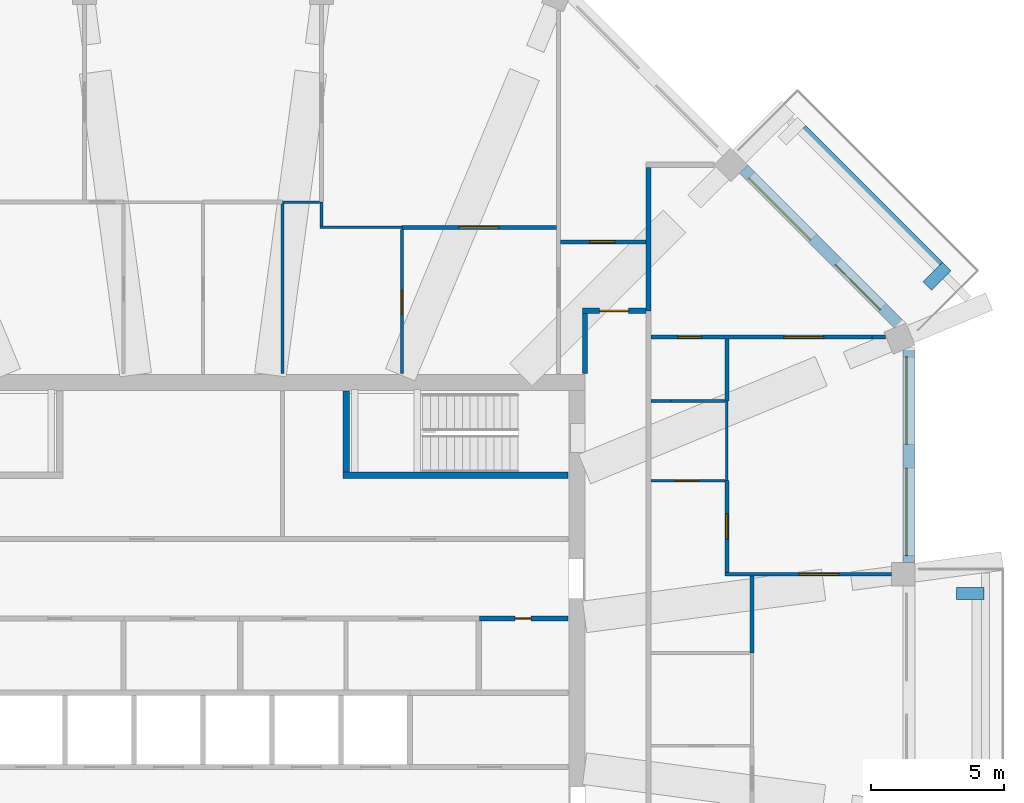
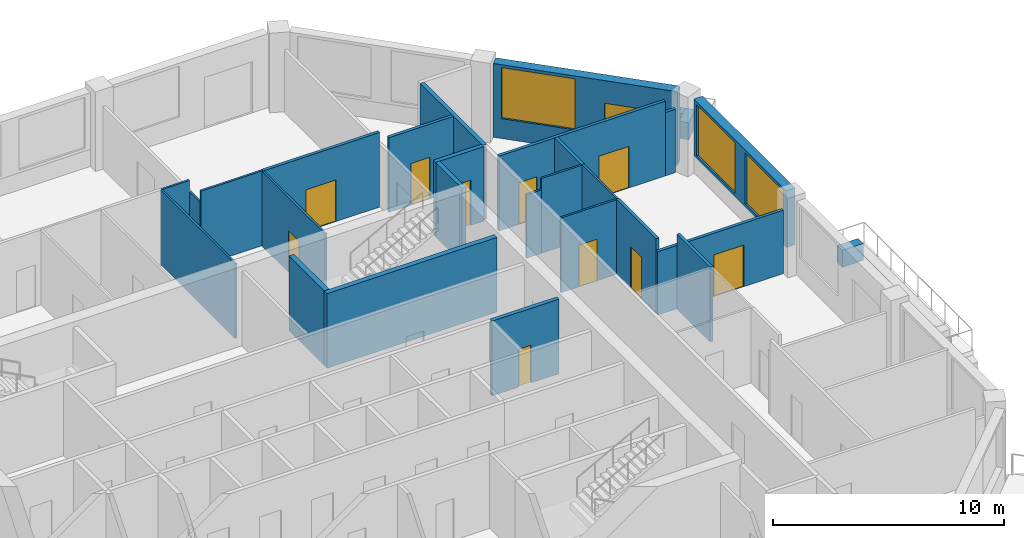
# One storey, part 9 of 12: 28 walls, 11 doors, 3 windows, 14 openings.
"""IFC4 building model written with IfcOpenShell, lengths in metres."""

from ifc_helpers import new_model, si_unit, direction, frame, frame_2d, origin, place, context, subcontext, project, spatial, rectangle, extrude, material, layer, layer_set, type_object, element, fill, save


model = new_model("IFC4")

# Units and contexts
model_context = context("Model", 3, precision=1e-05, world=origin(), true_north=direction((0.0, 1.0)))
body_context = subcontext(model_context, "Body", "Model", "MODEL_VIEW")
ifc_project = project(units=[si_unit("LENGTHUNIT", "METRE"), si_unit("AREAUNIT", "SQUARE_METRE"), si_unit("VOLUMEUNIT", "CUBIC_METRE"), si_unit("PLANEANGLEUNIT", "RADIAN"), si_unit("MASSUNIT", "GRAM", prefix="KILO")], contexts=[model_context])

# Site, building, storey
site_placement = place(None, origin())
site = spatial("IfcSite", under=ifc_project, at=site_placement, CompositionType="ELEMENT")
building_placement = place(site_placement, origin())
building = spatial("IfcBuilding", under=site, at=building_placement, Name="Msitu Wima Residences", CompositionType="ELEMENT")
storey_placement = place(building_placement, frame((0.0, 0.0, 213.89990234375)))
storey = spatial("IfcBuildingStorey", under=building, at=storey_placement, Name="L49", CompositionType="ELEMENT", Elevation=213.89990234375)

# Walls
ifc_material_1 = material(Name="Facing brick")
ifc_layer_1 = layer(ifc_material_1, 0.06494140625, Name="Facing brick")
ifc_material_2 = material(Name="Concrete C40/50", Category="concrete")
ifc_layer_2 = layer(ifc_material_2, 0.156005859375, Name="Concrete C40/50")
ifc_material_3 = material(Name="Waterproofing membrane")
ifc_layer_3 = layer(ifc_material_3, 0.00390625, Name="Waterproofing membrane")
ifc_material_4 = material(Name="Planting soil and planting")
ifc_layer_4 = layer(ifc_material_4, 0.22509765625, Name="Planting soil and planting")
ifc_layer_set_1 = layer_set([ifc_layer_1, ifc_layer_2, ifc_layer_3, ifc_layer_4], Name="Concrete C40/50")
wall_type_1 = type_object("IfcWallType", Name="Balcony planter PLANTER PL450", PredefinedType="USERDEFINED", material=ifc_layer_set_1)
wall_1_placement = place(storey_placement, frame((28.39990234375, 3.74365234375, 0.0), z_axis=(0.0, 0.0, 1.0), x_axis=(1.0, 0.0, 0.0)))
element("IfcWall", 1, at=wall_1_placement, inside=storey, type_object=wall_type_1, Name="Balcony planter E1 L49", ObjectType="PLANTER", PredefinedType="USERDEFINED", context=body_context, shape_type="SweptSolid", body=[
    extrude(rectangle(XDim=1.050048828125, YDim=0.449951171875, at=frame_2d((0.52490234375, 0.0))), origin(), (0.0, 0.0, 1.0), 0.900146484375),
])
wall_2_placement = place(storey_placement, frame((27.725830078125, 16.0751953125, 0.0), z_axis=(0.0, 0.0, 1.0), x_axis=(-0.707106781187, 0.707106781187, 0.0)))
element("IfcWall", 2, at=wall_2_placement, inside=storey, type_object=wall_type_1, Name="Balcony planter NE0 L49", ObjectType="PLANTER", PredefinedType="USERDEFINED", context=body_context, shape_type="SweptSolid", body=[
    extrude(rectangle(XDim=7.288330078125, YDim=0.449951171875, at=frame_2d((3.64404296875, 0.0))), origin(), (0.0, 0.0, 1.0), 0.900146484375),
])
wall_3_placement = place(storey_placement, frame((27.301513671875, 15.332763671875, 0.0), z_axis=(0.0, 0.0, 1.0), x_axis=(0.707106781187, 0.707106781187, 0.0)))
element("IfcWall", 3, at=wall_3_placement, inside=storey, type_object=wall_type_1, Name="Balcony planter NE0 L49", ObjectType="PLANTER", PredefinedType="USERDEFINED", context=body_context, shape_type="SweptSolid", body=[
    extrude(rectangle(XDim=1.050048828125, YDim=0.449951171875, at=frame_2d((0.52490234375, 0.0))), origin(), (0.0, 0.0, 1.0), 0.900146484375),
])

# Wall, openings, windows
ifc_material_5 = material(Name="Brick (red buff mix)", Category="masonry")
ifc_layer_5 = layer(ifc_material_5, 0.449951171875)
ifc_layer_set_2 = layer_set([ifc_layer_5], Name="Brick (red buff mix)")
wall_type_2 = type_object("IfcWallType", Name="Brick infill wall BW450", PredefinedType="SOLIDWALL", material=ifc_layer_set_2)
wall_4_placement = place(storey_placement, frame((26.625, 4.918701171875, 0.900146484375), z_axis=(0.0, 0.0, 1.0), x_axis=(0.0, 1.0, 0.0)))
wall_4 = element("IfcWall", 4, at=wall_4_placement, inside=storey, type_object=wall_type_2, Name="Brick infill wall L49 E2", PredefinedType="SOLIDWALL", context=body_context, shape_type="SweptSolid", body=[
    extrude(rectangle(XDim=8.0, YDim=0.449951171875, at=frame_2d((4.0, 0.0))), origin(), (0.0, 0.0, 1.0), 3.0),
])
opening_1_placement = place(wall_4_placement, frame((0.25, 0.0, 0.14990234375)))
opening_1 = element("IfcOpeningElement", 5, at=opening_1_placement, cuts=wall_4, Name="Opening W49.004", PredefinedType="OPENING", context=body_context, shape_type="SweptSolid", body=[
    extrude(rectangle(XDim=3.300048828125, YDim=2.699951171875, at=frame_2d((1.64990234375, 1.35009765625))), frame((0.0, 0.23486328125, 0.0), z_axis=(0.0, -1.0, 0.0), x_axis=(1.0, 0.0, 0.0)), (0.0, 0.0, 1.0), 0.469970703125),
])
opening_2_placement = place(wall_4_placement, frame((4.4501953125, 0.0, 0.14990234375)))
opening_2 = element("IfcOpeningElement", 6, at=opening_2_placement, cuts=wall_4, Name="Opening W49.005", PredefinedType="OPENING", context=body_context, shape_type="SweptSolid", body=[
    extrude(rectangle(XDim=3.300048828125, YDim=2.699951171875, at=frame_2d((1.64990234375, 1.35009765625))), frame((0.0, 0.23486328125, 0.0), z_axis=(0.0, -1.0, 0.0), x_axis=(1.0, 0.0, 0.0)), (0.0, 0.0, 1.0), 0.469970703125),
])
ifc_material_6 = material(Name="Anodised aluminium, bronze finish, clear low-emissivity double glazing", Category="aluminium")
window_type = type_object("IfcWindowType", Name="Window W3300x2700", PartitioningType="DOUBLE_PANEL_VERTICAL", PredefinedType="WINDOW", material=ifc_material_6)
window_1_placement = place(opening_1_placement, origin())
window_1 = element("IfcWindow", 7, at=window_1_placement, inside=storey, type_object=window_type, Name="Window L49 E2.1", OverallHeight=2.699951171875, OverallWidth=3.300048828125, PartitioningType="SINGLE_PANEL", PredefinedType="WINDOW", context=body_context, shape_type="SweptSolid", body=[
    extrude(rectangle(XDim=3.300048828125, YDim=2.699951171875, at=frame_2d((1.64990234375, 1.35009765625))), frame((0.0, 0.135009765625, 0.0), z_axis=(0.0, -1.0, 0.0), x_axis=(1.0, 0.0, 0.0)), (0.0, 0.0, 1.0), 0.06005859375),
])
fill(opening_1, window_1)
window_2_placement = place(opening_2_placement, origin())
window_2 = element("IfcWindow", 8, at=window_2_placement, inside=storey, type_object=window_type, Name="Window L49 E2.2", OverallHeight=2.699951171875, OverallWidth=3.300048828125, PartitioningType="SINGLE_PANEL", PredefinedType="WINDOW", context=body_context, shape_type="SweptSolid", body=[
    extrude(rectangle(XDim=3.300048828125, YDim=2.699951171875, at=frame_2d((1.64990234375, 1.35009765625))), frame((0.0, 0.135009765625, 0.0), z_axis=(0.0, -1.0, 0.0), x_axis=(1.0, 0.0, 0.0)), (0.0, 0.0, 1.0), 0.06005859375),
])
fill(opening_2, window_2)

# Wall, openings, door, window
wall_5_placement = place(storey_placement, frame((26.214599609375, 13.909423828125, 0.0), z_axis=(0.0, 0.0, 1.0), x_axis=(-0.707106781187, 0.707106781187, 0.0)))
wall_5 = element("IfcWall", 9, at=wall_5_placement, inside=storey, type_object=wall_type_2, Name="Brick infill wall L49 NE0", PredefinedType="SOLIDWALL", context=body_context, shape_type="SweptSolid", body=[
    extrude(rectangle(XDim=8.251220703125, YDim=0.449951171875, at=frame_2d((4.12548828125, 0.0))), origin(), (0.0, 0.0, 1.0), 3.900146484375),
])
opening_3_placement = place(wall_5_placement, frame((0.86279296875, 0.0, 0.0)))
opening_3 = element("IfcOpeningElement", 10, at=opening_3_placement, cuts=wall_5, Name="Opening D49.004", PredefinedType="OPENING", context=body_context, shape_type="SweptSolid", body=[
    extrude(rectangle(XDim=2.39990234375, YDim=2.699951171875, at=frame_2d((1.199951171875, 1.35009765625))), frame((0.0, 0.23486328125, 0.0), z_axis=(0.0, -1.0, 0.0), x_axis=(1.0, 0.0, 0.0)), (0.0, 0.0, 1.0), 0.469970703125),
])
opening_4_placement = place(wall_5_placement, frame((4.57568359375, 0.0, 1.050048828125)))
opening_4 = element("IfcOpeningElement", 11, at=opening_4_placement, cuts=wall_5, Name="Opening W49.010", PredefinedType="OPENING", context=body_context, shape_type="SweptSolid", body=[
    extrude(rectangle(XDim=3.300048828125, YDim=2.699951171875, at=frame_2d((1.64990234375, 1.35009765625))), frame((0.0, 0.23486328125, 0.0), z_axis=(0.0, -1.0, 0.0), x_axis=(1.0, 0.0, 0.0)), (0.0, 0.0, 1.0), 0.469970703125),
])
door_type_1 = type_object("IfcDoorType", Name="Balcony door D2400x2700", OperationType="SLIDING_TO_LEFT", PredefinedType="DOOR", material=ifc_material_6)
door_1_placement = place(opening_3_placement, origin())
door_1 = element("IfcDoor", 12, at=door_1_placement, inside=storey, type_object=door_type_1, Name="Balcony door L49 NE0", OperationType="SINGLE_SWING_LEFT", OverallHeight=2.699951171875, OverallWidth=2.39990234375, PredefinedType="DOOR", context=body_context, shape_type="SweptSolid", body=[
    extrude(rectangle(XDim=2.39990234375, YDim=2.699951171875, at=frame_2d((1.199951171875, 1.35009765625))), frame((0.0, 0.1298828125, 0.0), z_axis=(0.0, -1.0, 0.0), x_axis=(1.0, 0.0, 0.0)), (0.0, 0.0, 1.0), 0.050048828125),
])
fill(opening_3, door_1)
window_3_placement = place(opening_4_placement, origin())
window_3 = element("IfcWindow", 13, at=window_3_placement, inside=storey, type_object=window_type, Name="Window L49 NE0.2", OverallHeight=2.699951171875, OverallWidth=3.300048828125, PartitioningType="SINGLE_PANEL", PredefinedType="WINDOW", context=body_context, shape_type="SweptSolid", body=[
    extrude(rectangle(XDim=3.300048828125, YDim=2.699951171875, at=frame_2d((1.64990234375, 1.35009765625))), frame((0.0, 0.135009765625, 0.0), z_axis=(0.0, -1.0, 0.0), x_axis=(1.0, 0.0, 0.0)), (0.0, 0.0, 1.0), 0.06005859375),
])
fill(opening_4, window_3)

# Wall
ifc_material_7 = material(Name="Plaster")
ifc_layer_6 = layer(ifc_material_7, 0.011962890625, Name="Plaster")
ifc_material_8 = material(Name="Concrete blockwork", Category="masonry")
ifc_layer_7 = layer(ifc_material_8, 0.176025390625, Name="Concrete blockwork")
ifc_layer_8 = layer(ifc_material_7, 0.011962890625, Name="Plaster")
ifc_layer_set_3 = layer_set([ifc_layer_6, ifc_layer_7, ifc_layer_8], Name="Concrete blockwork")
wall_type_3 = type_object("IfcWallType", Name="Corridor wall FW200", PredefinedType="PARTITIONING", material=ifc_layer_set_3)
wall_6_placement = place(storey_placement, frame((14.39990234375, 12.030029296875, 0.0), z_axis=(0.0, 0.0, 1.0), x_axis=(0.0, 1.0, 0.0)))
element("IfcWall", 14, at=wall_6_placement, inside=storey, type_object=wall_type_3, Name="Corridor wall", PredefinedType="PARTITIONING", context=body_context, shape_type="SweptSolid", body=[
    extrude(rectangle(XDim=2.27001953125, YDim=0.199951171875, at=frame_2d((1.135009765625, 0.0))), origin(), (0.0, 0.0, 1.0), 3.9501953125),
])

# Wall, opening, door
wall_7_placement = place(storey_placement, frame((14.300048828125, 14.39990234375, 0.0), z_axis=(0.0, 0.0, 1.0), x_axis=(1.0, 0.0, 0.0)))
wall_7 = element("IfcWall", 15, at=wall_7_placement, inside=storey, type_object=wall_type_3, Name="Corridor wall", PredefinedType="PARTITIONING", context=body_context, shape_type="SweptSolid", body=[
    extrude(rectangle(XDim=2.39990234375, YDim=0.199951171875, at=frame_2d((1.199951171875, 0.0))), origin(), (0.0, 0.0, 1.0), 3.9501953125),
])
opening_5_placement = place(wall_7_placement, frame((0.64990234375, 0.0, 0.0)))
opening_5 = element("IfcOpeningElement", 16, at=opening_5_placement, cuts=wall_7, Name="Opening D49.022", PredefinedType="OPENING", context=body_context, shape_type="SweptSolid", body=[
    extrude(rectangle(XDim=1.10009765625, YDim=2.39990234375, at=frame_2d((0.550048828125, 1.199951171875))), frame((0.0, 0.10986328125, 0.0), z_axis=(0.0, -1.0, 0.0), x_axis=(1.0, 0.0, 0.0)), (0.0, 0.0, 1.0), 0.219970703125),
])
ifc_material_9 = material(Name="Timber flush door, fire resisting, self-closing", Category="wood")
door_type_2 = type_object("IfcDoorType", Name="Flat entrance door D01 1100x2400", OperationType="SINGLE_SWING_LEFT", PredefinedType="DOOR", material=ifc_material_9)
door_2_placement = place(opening_5_placement, origin())
door_2 = element("IfcDoor", 17, at=door_2_placement, inside=storey, type_object=door_type_2, Name="Flat entrance door", OperationType="SINGLE_SWING_RIGHT", OverallHeight=2.39990234375, OverallWidth=1.10009765625, PredefinedType="DOOR", context=body_context, shape_type="SweptSolid", body=[
    extrude(rectangle(XDim=1.10009765625, YDim=2.39990234375, at=frame_2d((0.550048828125, 1.199951171875))), frame((0.0, 0.02490234375, 0.0), z_axis=(0.0, -1.0, 0.0), x_axis=(1.0, 0.0, 0.0)), (0.0, 0.0, 1.0), 0.050048828125),
])
fill(opening_5, door_2)

ifc_layer_9 = layer(ifc_material_7, 0.011962890625, Name="Plaster")
ifc_layer_10 = layer(ifc_material_8, 0.1259765625, Name="Concrete blockwork")
ifc_layer_11 = layer(ifc_material_7, 0.011962890625, Name="Plaster")
ifc_layer_set_4 = layer_set([ifc_layer_9, ifc_layer_10, ifc_layer_11], Name="Concrete blockwork")
wall_type_4 = type_object("IfcWallType", Name="Partition PW150", PredefinedType="PARTITIONING", material=ifc_layer_set_4)
wall_8_placement = place(storey_placement, frame((7.5, 17.550048828125, 0.0), z_axis=(0.0, 0.0, 1.0), x_axis=(1.0, 0.0, 0.0)))
wall_8 = element("IfcWall", 18, at=wall_8_placement, inside=storey, type_object=wall_type_4, Name="Partition", PredefinedType="PARTITIONING", context=body_context, shape_type="SweptSolid", body=[
    extrude(rectangle(XDim=5.830810546875, YDim=0.14990234375, at=frame_2d((2.91552734375, 0.0))), origin(), (0.0, 0.0, 1.0), 3.9501953125),
])
opening_6_placement = place(wall_8_placement, frame((2.14990234375, 0.0, 0.0)))
opening_6 = element("IfcOpeningElement", 19, at=opening_6_placement, cuts=wall_8, Name="Opening D49.027", PredefinedType="OPENING", context=body_context, shape_type="SweptSolid", body=[
    extrude(rectangle(XDim=1.5, YDim=2.199951171875, at=frame_2d((0.75, 1.10009765625))), frame((0.0, 0.0849609375, 0.0), z_axis=(0.0, -1.0, 0.0), x_axis=(1.0, 0.0, 0.0)), (0.0, 0.0, 1.0), 0.169921875),
])
ifc_material_10 = material(Name="Timber double door", Category="wood")
door_type_3 = type_object("IfcDoorType", Name="Double door D04 1500x2200", OperationType="DOUBLE_DOOR_SINGLE_SWING", PredefinedType="DOOR", material=ifc_material_10)
door_3_placement = place(opening_6_placement, origin())
door_3 = element("IfcDoor", 20, at=door_3_placement, inside=storey, type_object=door_type_3, Name="Double door", OperationType="DOUBLE_DOOR_SINGLE_SWING", OverallHeight=2.199951171875, OverallWidth=1.5, PredefinedType="DOOR", context=body_context, shape_type="SweptSolid", body=[
    extrude(rectangle(XDim=1.5, YDim=2.199951171875, at=frame_2d((0.75, 1.10009765625))), frame((0.0, 0.02490234375, 0.0), z_axis=(0.0, -1.0, 0.0), x_axis=(1.0, 0.0, 0.0)), (0.0, 0.0, 1.0), 0.050048828125),
])
fill(opening_6, door_3)

wall_9_placement = place(storey_placement, frame((13.48095703125, 17.0, 0.0), z_axis=(0.0, 0.0, 1.0), x_axis=(1.0, 0.0, 0.0)))
wall_9 = element("IfcWall", 21, at=wall_9_placement, inside=storey, type_object=wall_type_4, Name="Partition", PredefinedType="PARTITIONING", context=body_context, shape_type="SweptSolid", body=[
    extrude(rectangle(XDim=3.218994140625, YDim=0.14990234375, at=frame_2d((1.609375, 0.0))), origin(), (0.0, 0.0, 1.0), 3.9501953125),
])
opening_7_placement = place(wall_9_placement, frame((1.10009765625, 0.0, 0.0)))
opening_7 = element("IfcOpeningElement", 22, at=opening_7_placement, cuts=wall_9, Name="Opening D49.028", PredefinedType="OPENING", context=body_context, shape_type="SweptSolid", body=[
    extrude(rectangle(XDim=0.949951171875, YDim=2.199951171875, at=frame_2d((0.47509765625, 1.10009765625))), frame((0.0, 0.0849609375, 0.0), z_axis=(0.0, -1.0, 0.0), x_axis=(1.0, 0.0, 0.0)), (0.0, 0.0, 1.0), 0.169921875),
])
ifc_material_11 = material(Name="Timber flush door", Category="wood")
door_type_4 = type_object("IfcDoorType", Name="Room door D12 950x2200", OperationType="SINGLE_SWING_LEFT", PredefinedType="DOOR", material=ifc_material_11)
door_4_placement = place(opening_7_placement, origin())
door_4 = element("IfcDoor", 23, at=door_4_placement, inside=storey, type_object=door_type_4, Name="Room door", OperationType="SINGLE_SWING_LEFT", OverallHeight=2.199951171875, OverallWidth=0.949951171875, PredefinedType="DOOR", context=body_context, shape_type="SweptSolid", body=[
    extrude(rectangle(XDim=0.949951171875, YDim=2.199951171875, at=frame_2d((0.47509765625, 1.10009765625))), frame((0.0, 0.02490234375, 0.0), z_axis=(0.0, -1.0, 0.0), x_axis=(1.0, 0.0, 0.0)), (0.0, 0.0, 1.0), 0.050048828125),
])
fill(opening_7, door_4)

# Wall, openings, doors
wall_10_placement = place(storey_placement, frame((16.89990234375, 13.406005859375, 0.0), z_axis=(0.0, 0.0, 1.0), x_axis=(1.0, 0.0, 0.0)))
wall_10 = element("IfcWall", 24, at=wall_10_placement, inside=storey, type_object=wall_type_4, Name="Partition", PredefinedType="PARTITIONING", context=body_context, shape_type="SweptSolid", body=[
    extrude(rectangle(XDim=8.32421875, YDim=0.14990234375, at=frame_2d((4.162109375, 0.0))), origin(), (0.0, 0.0, 1.0), 3.9501953125),
])
opening_8_placement = place(wall_10_placement, frame((5.0, 0.0, 0.0)))
opening_8 = element("IfcOpeningElement", 25, at=opening_8_placement, cuts=wall_10, Name="Opening D49.019", PredefinedType="OPENING", context=body_context, shape_type="SweptSolid", body=[
    extrude(rectangle(XDim=1.5, YDim=2.199951171875, at=frame_2d((0.75, 1.10009765625))), frame((0.0, 0.0849609375, 0.0), z_axis=(0.0, -1.0, 0.0), x_axis=(1.0, 0.0, 0.0)), (0.0, 0.0, 1.0), 0.169921875),
])
opening_9_placement = place(wall_10_placement, frame((1.0, 0.0, 0.0)))
opening_9 = element("IfcOpeningElement", 26, at=opening_9_placement, cuts=wall_10, Name="Opening D49.013", PredefinedType="OPENING", context=body_context, shape_type="SweptSolid", body=[
    extrude(rectangle(XDim=0.89990234375, YDim=2.199951171875, at=frame_2d((0.449951171875, 1.10009765625))), frame((0.0, 0.0849609375, 0.0), z_axis=(0.0, -1.0, 0.0), x_axis=(1.0, 0.0, 0.0)), (0.0, 0.0, 1.0), 0.169921875),
])
door_5_placement = place(opening_8_placement, origin())
door_5 = element("IfcDoor", 27, at=door_5_placement, inside=storey, type_object=door_type_3, Name="Double door", OperationType="DOUBLE_DOOR_SINGLE_SWING", OverallHeight=2.199951171875, OverallWidth=1.5, PredefinedType="DOOR", context=body_context, shape_type="SweptSolid", body=[
    extrude(rectangle(XDim=1.5, YDim=2.199951171875, at=frame_2d((0.75, 1.10009765625))), frame((0.0, 0.02490234375, 0.0), z_axis=(0.0, -1.0, 0.0), x_axis=(1.0, 0.0, 0.0)), (0.0, 0.0, 1.0), 0.050048828125),
])
fill(opening_8, door_5)
door_type_5 = type_object("IfcDoorType", Name="Service door D05 900x2200", OperationType="SINGLE_SWING_LEFT", PredefinedType="DOOR", material=ifc_material_11)
door_6_placement = place(opening_9_placement, origin())
door_6 = element("IfcDoor", 28, at=door_6_placement, inside=storey, type_object=door_type_5, Name="Service door", OperationType="SINGLE_SWING_LEFT", OverallHeight=2.199951171875, OverallWidth=0.89990234375, PredefinedType="DOOR", context=body_context, shape_type="SweptSolid", body=[
    extrude(rectangle(XDim=0.89990234375, YDim=2.199951171875, at=frame_2d((0.449951171875, 1.10009765625))), frame((0.0, 0.02490234375, 0.0), z_axis=(0.0, -1.0, 0.0), x_axis=(1.0, 0.0, 0.0)), (0.0, 0.0, 1.0), 0.050048828125),
])
fill(opening_9, door_6)

# Wall
wall_11_placement = place(storey_placement, frame((25.22412109375, 13.406005859375, 0.0), z_axis=(0.0, 0.0, 1.0), x_axis=(1.0, 0.0, 0.0)))
element("IfcWall", 29, at=wall_11_placement, inside=storey, type_object=wall_type_4, Name="Partition", PredefinedType="PARTITIONING", context=body_context, shape_type="SweptSolid", body=[
    extrude(rectangle(XDim=0.507080078125, YDim=0.14990234375, at=frame_2d((0.25341796875, 0.0))), origin(), (0.0, 0.0, 1.0), 3.35009765625),
])

# Wall, opening, door
wall_12_placement = place(storey_placement, frame((19.75, 4.543701171875, 0.0), z_axis=(0.0, 0.0, 1.0), x_axis=(0.0, 1.0, 0.0)))
wall_12 = element("IfcWall", 30, at=wall_12_placement, inside=storey, type_object=wall_type_4, Name="Partition", PredefinedType="PARTITIONING", context=body_context, shape_type="SweptSolid", body=[
    extrude(rectangle(XDim=3.456298828125, YDim=0.14990234375, at=frame_2d((1.72802734375, 0.0))), origin(), (0.0, 0.0, 1.0), 3.9501953125),
])
opening_10_placement = place(wall_12_placement, frame((1.25, 0.0, 0.0)))
opening_10 = element("IfcOpeningElement", 31, at=opening_10_placement, cuts=wall_12, Name="Opening D49.020", PredefinedType="OPENING", context=body_context, shape_type="SweptSolid", body=[
    extrude(rectangle(XDim=0.949951171875, YDim=2.199951171875, at=frame_2d((0.47509765625, 1.10009765625))), frame((0.0, 0.0849609375, 0.0), z_axis=(0.0, -1.0, 0.0), x_axis=(1.0, 0.0, 0.0)), (0.0, 0.0, 1.0), 0.169921875),
])
door_7_placement = place(opening_10_placement, origin())
door_7 = element("IfcDoor", 32, at=door_7_placement, inside=storey, type_object=door_type_4, Name="Room door", OperationType="SINGLE_SWING_RIGHT", OverallHeight=2.199951171875, OverallWidth=0.949951171875, PredefinedType="DOOR", context=body_context, shape_type="SweptSolid", body=[
    extrude(rectangle(XDim=0.949951171875, YDim=2.199951171875, at=frame_2d((0.47509765625, 1.10009765625))), frame((0.0, 0.02490234375, 0.0), z_axis=(0.0, -1.0, 0.0), x_axis=(1.0, 0.0, 0.0)), (0.0, 0.0, 1.0), 0.050048828125),
])
fill(opening_10, door_7)

wall_13_placement = place(storey_placement, frame((19.675048828125, 4.46875, 0.0), z_axis=(0.0, 0.0, 1.0), x_axis=(1.0, 0.0, 0.0)))
wall_13 = element("IfcWall", 33, at=wall_13_placement, inside=storey, type_object=wall_type_4, Name="Partition", PredefinedType="PARTITIONING", context=body_context, shape_type="SweptSolid", body=[
    extrude(rectangle(XDim=6.27490234375, YDim=0.14990234375, at=frame_2d((3.137451171875, 0.0))), origin(), (0.0, 0.0, 1.0), 3.35009765625),
])
opening_11_placement = place(wall_13_placement, frame((2.800048828125, 0.0, 0.0)))
opening_11 = element("IfcOpeningElement", 34, at=opening_11_placement, cuts=wall_13, Name="Opening D49.018", PredefinedType="OPENING", context=body_context, shape_type="SweptSolid", body=[
    extrude(rectangle(XDim=1.5, YDim=2.199951171875, at=frame_2d((0.75, 1.10009765625))), frame((0.0, 0.0849609375, 0.0), z_axis=(0.0, -1.0, 0.0), x_axis=(1.0, 0.0, 0.0)), (0.0, 0.0, 1.0), 0.169921875),
])
door_8_placement = place(opening_11_placement, origin())
door_8 = element("IfcDoor", 35, at=door_8_placement, inside=storey, type_object=door_type_3, Name="Double door", OperationType="DOUBLE_DOOR_SINGLE_SWING", OverallHeight=2.199951171875, OverallWidth=1.5, PredefinedType="DOOR", context=body_context, shape_type="SweptSolid", body=[
    extrude(rectangle(XDim=1.5, YDim=2.199951171875, at=frame_2d((0.75, 1.10009765625))), frame((0.0, 0.02490234375, 0.0), z_axis=(0.0, -1.0, 0.0), x_axis=(1.0, 0.0, 0.0)), (0.0, 0.0, 1.0), 0.050048828125),
])
fill(opening_11, door_8)

# Walls
wall_14_placement = place(storey_placement, frame((19.75, 11.0, 0.0), z_axis=(0.0, 0.0, 1.0), x_axis=(0.0, 1.0, 0.0)))
element("IfcWall", 36, at=wall_14_placement, inside=storey, type_object=wall_type_4, Name="Partition", PredefinedType="PARTITIONING", context=body_context, shape_type="SweptSolid", body=[
    extrude(rectangle(XDim=2.330810546875, YDim=0.14990234375, at=frame_2d((1.16552734375, 0.0))), origin(), (0.0, 0.0, 1.0), 3.9501953125),
])
wall_15_placement = place(storey_placement, frame((20.699951171875, 1.5, 0.0), z_axis=(0.0, 0.0, 1.0), x_axis=(0.0, 1.0, 0.0)))
element("IfcWall", 37, at=wall_15_placement, inside=storey, type_object=wall_type_4, Name="Partition", PredefinedType="PARTITIONING", context=body_context, shape_type="SweptSolid", body=[
    extrude(rectangle(XDim=2.8935546875, YDim=0.14990234375, at=frame_2d((1.44677734375, 0.0))), origin(), (0.0, 0.0, 1.0), 3.9501953125),
])
ifc_layer_12 = layer(ifc_material_7, 0.011962890625, Name="Plaster")
ifc_material_12 = material(Name="Dense concrete blockwork", Category="masonry")
ifc_layer_13 = layer(ifc_material_12, 0.176025390625, Name="Dense concrete blockwork")
ifc_layer_14 = layer(ifc_material_7, 0.011962890625, Name="Plaster")
ifc_layer_set_5 = layer_set([ifc_layer_12, ifc_layer_13, ifc_layer_14], Name="Dense concrete blockwork")
wall_type_5 = type_object("IfcWallType", Name="Party wall PW200", PredefinedType="PARTITIONING", material=ifc_layer_set_5)
wall_16_placement = place(storey_placement, frame((16.800048828125, 14.39990234375, 0.0), z_axis=(0.0, 0.0, 1.0), x_axis=(0.0, 1.0, 0.0)))
element("IfcWall", 38, at=wall_16_placement, inside=storey, type_object=wall_type_5, Name="Party wall", PredefinedType="PARTITIONING", context=body_context, shape_type="SweptSolid", body=[
    extrude(rectangle(XDim=5.403076171875, YDim=0.199951171875, at=frame_2d((2.70166015625, 0.0))), origin(), (0.0, 0.0, 1.0), 3.9501953125),
])

# Wall, opening, door
ifc_layer_15 = layer(ifc_material_7, 0.011962890625, Name="Plaster")
ifc_material_13 = material(Name="Reinforced concrete blockwork", Category="masonry")
ifc_layer_16 = layer(ifc_material_13, 0.176025390625, Name="Reinforced concrete blockwork")
ifc_layer_17 = layer(ifc_material_7, 0.011962890625, Name="Plaster")
ifc_layer_set_6 = layer_set([ifc_layer_15, ifc_layer_16, ifc_layer_17], Name="Reinforced concrete blockwork")
wall_type_6 = type_object("IfcWallType", Name="Plant and riser wall PL200", PredefinedType="PARTITIONING", material=ifc_layer_set_6)
wall_17_placement = place(storey_placement, frame((10.419921875, 2.800048828125, 0.0), z_axis=(0.0, 0.0, 1.0), x_axis=(1.0, 0.0, 0.0)))
wall_17 = element("IfcWall", 39, at=wall_17_placement, inside=storey, type_object=wall_type_6, Name="Plant and riser wall", PredefinedType="PARTITIONING", context=body_context, shape_type="SweptSolid", body=[
    extrude(rectangle(XDim=3.35009765625, YDim=0.199951171875, at=frame_2d((1.675048828125, 0.0))), origin(), (0.0, 0.0, 1.0), 3.9501953125),
])
opening_12_placement = place(wall_17_placement, frame((1.35009765625, 0.0, 0.0)))
opening_12 = element("IfcOpeningElement", 40, at=opening_12_placement, cuts=wall_17, Name="Opening D49.078", PredefinedType="OPENING", context=body_context, shape_type="SweptSolid", body=[
    extrude(rectangle(XDim=0.60009765625, YDim=2.0, at=frame_2d((0.300048828125, 1.0))), frame((0.0, 0.10986328125, 0.0), z_axis=(0.0, -1.0, 0.0), x_axis=(1.0, 0.0, 0.0)), (0.0, 0.0, 1.0), 0.219970703125),
])
ifc_material_14 = material(Name="Steel access door, fire resisting", Category="steel")
door_type_6 = type_object("IfcDoorType", Name="Riser access door D08 600x2000", OperationType="SINGLE_SWING_LEFT", PredefinedType="DOOR", material=ifc_material_14)
door_9_placement = place(opening_12_placement, origin())
door_9 = element("IfcDoor", 41, at=door_9_placement, inside=storey, type_object=door_type_6, Name="Riser access door", OperationType="SINGLE_SWING_RIGHT", OverallHeight=2.0, OverallWidth=0.60009765625, PredefinedType="DOOR", context=body_context, shape_type="SweptSolid", body=[
    extrude(rectangle(XDim=0.60009765625, YDim=2.0, at=frame_2d((0.300048828125, 1.0))), frame((0.0, 0.02490234375, 0.0), z_axis=(0.0, -1.0, 0.0), x_axis=(1.0, 0.0, 0.0)), (0.0, 0.0, 1.0), 0.050048828125),
])
fill(opening_12, door_9)

# Walls
ifc_material_15 = material(Name="Concrete C50/60", Category="concrete")
ifc_layer_18 = layer(ifc_material_15, 0.25)
ifc_layer_set_7 = layer_set([ifc_layer_18], Name="Concrete C50/60")
wall_type_7 = type_object("IfcWallType", Name="Stair enclosure wall SW250", PredefinedType="SHEAR", material=ifc_layer_set_7)
wall_18_placement = place(storey_placement, frame((5.39990234375, 8.324951171875, 0.0), z_axis=(0.0, 0.0, 1.0), x_axis=(0.0, 1.0, 0.0)))
element("IfcWall", 42, at=wall_18_placement, inside=storey, type_object=wall_type_7, Name="Stair enclosure wall", PredefinedType="SHEAR", context=body_context, shape_type="SweptSolid", body=[
    extrude(rectangle(XDim=3.045166015625, YDim=0.25, at=frame_2d((1.5224609375, 0.0))), origin(), (0.0, 0.0, 1.0), 3.9501953125),
])
wall_19_placement = place(storey_placement, frame((5.27490234375, 8.199951171875, 0.0), z_axis=(0.0, 0.0, 1.0), x_axis=(1.0, 0.0, 0.0)))
element("IfcWall", 43, at=wall_19_placement, inside=storey, type_object=wall_type_7, Name="Stair enclosure wall", PredefinedType="SHEAR", context=body_context, shape_type="SweptSolid", body=[
    extrude(rectangle(XDim=8.4951171875, YDim=0.25, at=frame_2d((4.24755859375, 0.0))), origin(), (0.0, 0.0, 1.0), 3.9501953125),
])
ifc_material_16 = material(Name="Ceramic tiles")
ifc_layer_19 = layer(ifc_material_16, 0.008056640625, Name="Ceramic tiles")
ifc_material_17 = material(Name="Moisture-resistant board")
ifc_layer_20 = layer(ifc_material_17, 0.012451171875, Name="Moisture-resistant board")
ifc_material_18 = material(Name="Light-gauge stud framing with mineral wool")
ifc_layer_21 = layer(ifc_material_18, 0.06689453125, Name="Light-gauge stud framing with mineral wool")
ifc_layer_22 = layer(ifc_material_17, 0.012451171875, Name="Moisture-resistant board")
ifc_layer_set_8 = layer_set([ifc_layer_19, ifc_layer_20, ifc_layer_21, ifc_layer_22], Name="Light-gauge stud framing with mineral wool")
wall_type_8 = type_object("IfcWallType", Name="Wet wall PW100", PredefinedType="PARTITIONING", material=ifc_layer_set_8)
wall_20_placement = place(storey_placement, frame((3.0, 18.5, 0.0), z_axis=(0.0, 0.0, 1.0), x_axis=(1.0, 0.0, 0.0)))
element("IfcWall", 44, at=wall_20_placement, inside=storey, type_object=wall_type_8, Name="Wet wall", PredefinedType="PARTITIONING", context=body_context, shape_type="SweptSolid", body=[
    extrude(rectangle(XDim=1.3935546875, YDim=0.10009765625, at=frame_2d((0.69677734375, 0.0))), origin(), (0.0, 0.0, 1.0), 3.9501953125),
])
wall_21_placement = place(storey_placement, frame((3.0, 12.030029296875, 0.0), z_axis=(0.0, 0.0, 1.0), x_axis=(0.0, 1.0, 0.0)))
element("IfcWall", 45, at=wall_21_placement, inside=storey, type_object=wall_type_8, Name="Wet wall", PredefinedType="PARTITIONING", context=body_context, shape_type="SweptSolid", body=[
    extrude(rectangle(XDim=6.419921875, YDim=0.10009765625, at=frame_2d((3.2099609375, 0.0))), origin(), (0.0, 0.0, 1.0), 3.9501953125),
])
wall_22_placement = place(storey_placement, frame((4.46875, 17.60009765625, 0.0), z_axis=(0.0, 0.0, 1.0), x_axis=(0.0, 1.0, 0.0)))
element("IfcWall", 46, at=wall_22_placement, inside=storey, type_object=wall_type_8, Name="Wet wall", PredefinedType="PARTITIONING", context=body_context, shape_type="SweptSolid", body=[
    extrude(rectangle(XDim=0.89990234375, YDim=0.10009765625, at=frame_2d((0.449951171875, 0.0))), origin(), (0.0, 0.0, 1.0), 3.300048828125),
])
wall_23_placement = place(storey_placement, frame((4.418701171875, 17.550048828125, 0.0), z_axis=(0.0, 0.0, 1.0), x_axis=(1.0, 0.0, 0.0)))
element("IfcWall", 47, at=wall_23_placement, inside=storey, type_object=wall_type_8, Name="Wet wall", PredefinedType="PARTITIONING", context=body_context, shape_type="SweptSolid", body=[
    extrude(rectangle(XDim=3.081298828125, YDim=0.10009765625, at=frame_2d((1.54052734375, 0.0))), origin(), (0.0, 0.0, 1.0), 3.9501953125),
])

# Wall, opening, door
wall_24_placement = place(storey_placement, frame((7.5, 12.030029296875, 0.0), z_axis=(0.0, 0.0, 1.0), x_axis=(0.0, 1.0, 0.0)))
wall_24 = element("IfcWall", 48, at=wall_24_placement, inside=storey, type_object=wall_type_8, Name="Wet wall", PredefinedType="PARTITIONING", context=body_context, shape_type="SweptSolid", body=[
    extrude(rectangle(XDim=5.445068359375, YDim=0.10009765625, at=frame_2d((2.72265625, 0.0))), origin(), (0.0, 0.0, 1.0), 3.9501953125),
])
opening_13_placement = place(wall_24_placement, frame((2.25, 0.0, 0.0)))
opening_13 = element("IfcOpeningElement", 49, at=opening_13_placement, cuts=wall_24, Name="Opening D49.029", PredefinedType="OPENING", context=body_context, shape_type="SweptSolid", body=[
    extrude(rectangle(XDim=0.89990234375, YDim=2.199951171875, at=frame_2d((0.449951171875, 1.10009765625))), frame((0.0, 0.06005859375, 0.0), z_axis=(0.0, -1.0, 0.0), x_axis=(1.0, 0.0, 0.0)), (0.0, 0.0, 1.0), 0.1201171875),
])
ifc_material_19 = material(Name="Timber flush door, moisture resistant", Category="wood")
door_type_7 = type_object("IfcDoorType", Name="Bathroom door D03 900x2200", OperationType="SINGLE_SWING_LEFT", PredefinedType="DOOR", material=ifc_material_19)
door_10_placement = place(opening_13_placement, origin())
door_10 = element("IfcDoor", 50, at=door_10_placement, inside=storey, type_object=door_type_7, Name="Bathroom door", OperationType="SINGLE_SWING_LEFT", OverallHeight=2.199951171875, OverallWidth=0.89990234375, PredefinedType="DOOR", context=body_context, shape_type="SweptSolid", body=[
    extrude(rectangle(XDim=0.89990234375, YDim=2.199951171875, at=frame_2d((0.449951171875, 1.10009765625))), frame((0.0, 0.02490234375, 0.0), z_axis=(0.0, -1.0, 0.0), x_axis=(1.0, 0.0, 0.0)), (0.0, 0.0, 1.0), 0.050048828125),
])
fill(opening_13, door_10)

wall_25_placement = place(storey_placement, frame((16.89990234375, 8.0, 0.0), z_axis=(0.0, 0.0, 1.0), x_axis=(1.0, 0.0, 0.0)))
wall_25 = element("IfcWall", 51, at=wall_25_placement, inside=storey, type_object=wall_type_8, Name="Wet wall", PredefinedType="PARTITIONING", context=body_context, shape_type="SweptSolid", body=[
    extrude(rectangle(XDim=2.775146484375, YDim=0.10009765625, at=frame_2d((1.3876953125, 0.0))), origin(), (0.0, 0.0, 1.0), 3.9501953125),
])
opening_14_placement = place(wall_25_placement, frame((0.89990234375, 0.0, 0.0)))
opening_14 = element("IfcOpeningElement", 52, at=opening_14_placement, cuts=wall_25, Name="Opening D49.021", PredefinedType="OPENING", context=body_context, shape_type="SweptSolid", body=[
    extrude(rectangle(XDim=0.89990234375, YDim=2.199951171875, at=frame_2d((0.449951171875, 1.10009765625))), frame((0.0, 0.06005859375, 0.0), z_axis=(0.0, -1.0, 0.0), x_axis=(1.0, 0.0, 0.0)), (0.0, 0.0, 1.0), 0.1201171875),
])
door_11_placement = place(opening_14_placement, origin())
door_11 = element("IfcDoor", 53, at=door_11_placement, inside=storey, type_object=door_type_5, Name="Service door", OperationType="SINGLE_SWING_RIGHT", OverallHeight=2.199951171875, OverallWidth=0.89990234375, PredefinedType="DOOR", context=body_context, shape_type="SweptSolid", body=[
    extrude(rectangle(XDim=0.89990234375, YDim=2.199951171875, at=frame_2d((0.449951171875, 1.10009765625))), frame((0.0, 0.02490234375, 0.0), z_axis=(0.0, -1.0, 0.0), x_axis=(1.0, 0.0, 0.0)), (0.0, 0.0, 1.0), 0.050048828125),
])
fill(opening_14, door_11)

# Walls
wall_26_placement = place(storey_placement, frame((16.89990234375, 11.0, 0.0), z_axis=(0.0, 0.0, 1.0), x_axis=(1.0, 0.0, 0.0)))
element("IfcWall", 54, at=wall_26_placement, inside=storey, type_object=wall_type_8, Name="Wet wall", PredefinedType="PARTITIONING", context=body_context, shape_type="SweptSolid", body=[
    extrude(rectangle(XDim=0.75390625, YDim=0.10009765625, at=frame_2d((0.376953125, 0.0))), origin(), (0.0, 0.0, 1.0), 3.35009765625),
])
wall_27_placement = place(storey_placement, frame((17.65380859375, 11.0, 0.0), z_axis=(0.0, 0.0, 1.0), x_axis=(1.0, 0.0, 0.0)))
element("IfcWall", 55, at=wall_27_placement, inside=storey, type_object=wall_type_8, Name="Wet wall", PredefinedType="PARTITIONING", context=body_context, shape_type="SweptSolid", body=[
    extrude(rectangle(XDim=2.021240234375, YDim=0.10009765625, at=frame_2d((1.0107421875, 0.0))), origin(), (0.0, 0.0, 1.0), 3.9501953125),
])
wall_28_placement = place(storey_placement, frame((19.75, 8.0, 0.0), z_axis=(0.0, 0.0, 1.0), x_axis=(0.0, 1.0, 0.0)))
element("IfcWall", 56, at=wall_28_placement, inside=storey, type_object=wall_type_8, Name="Wet wall", PredefinedType="PARTITIONING", context=body_context, shape_type="SweptSolid", body=[
    extrude(rectangle(XDim=3.0, YDim=0.10009765625, at=frame_2d((1.5, 0.0))), origin(), (0.0, 0.0, 1.0), 3.9501953125),
])

save(model, "model.ifc")
